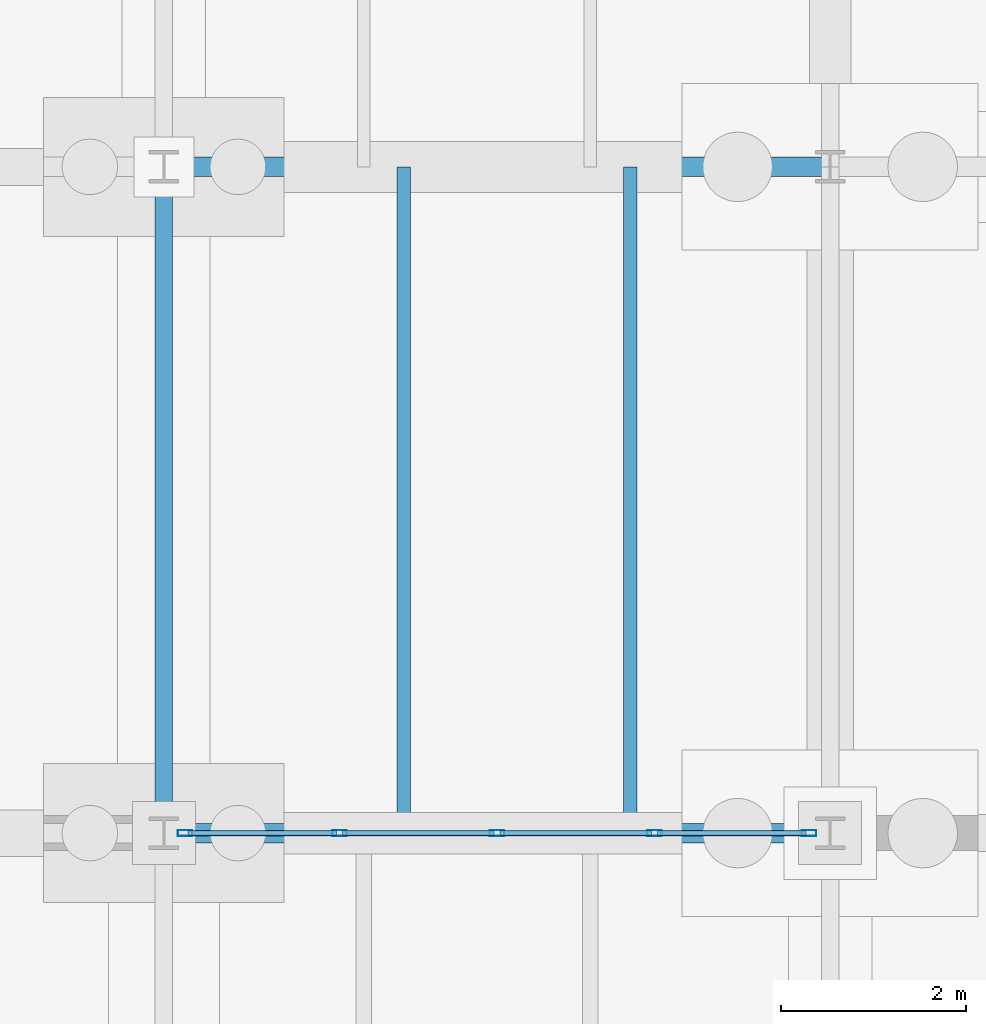
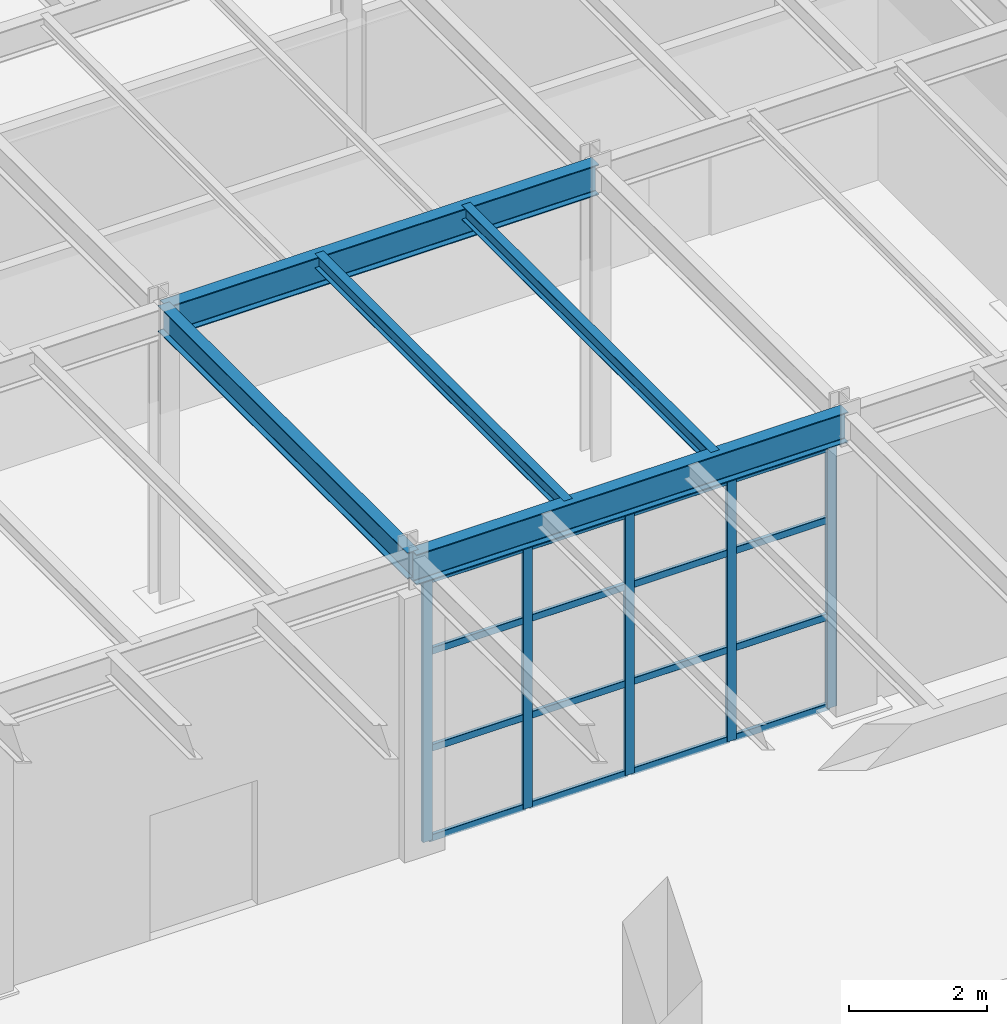
# One storey, part 154 of 293: 21 members, 5 beams, 1 element without a shape of its own.
"""IFC4 building model written with IfcOpenShell, lengths in metres."""

from ifc_helpers import new_model, si_unit, direction, frame, origin, origin_2d, place, context, subcontext, project, spatial, hollow_rectangle, i_section, extrude, material, layer, layer_set, material_profile, profile_set, type_object, element, aggregate, save


model = new_model("IFC4")

# Units and contexts
model_context = context("Model", 3, precision=1e-05, world=origin(), true_north=direction((0.0, 1.0)))
body_context = subcontext(model_context, "Body", "Model", "MODEL_VIEW")
ifc_project = project(units=[si_unit("LENGTHUNIT", "METRE"), si_unit("AREAUNIT", "SQUARE_METRE"), si_unit("VOLUMEUNIT", "CUBIC_METRE"), si_unit("PLANEANGLEUNIT", "RADIAN"), si_unit("MASSUNIT", "GRAM", prefix="KILO")], contexts=[model_context])

# Site, building, storey
site_placement = place(None, origin())
site = spatial("IfcSite", under=ifc_project, at=site_placement, CompositionType="ELEMENT")
building_placement = place(site_placement, origin())
building = spatial("IfcBuilding", under=site, at=building_placement, Name="Kemerveld Promenade Tramway Depot", CompositionType="ELEMENT")
storey_placement = place(building_placement, origin())
storey = spatial("IfcBuildingStorey", under=building, at=storey_placement, Name="L00", CompositionType="ELEMENT", Elevation=0.0)

# Beams
ifc_material_1 = material(Name="Steel S355", Category="steel")
ifc_material_profile_1 = material_profile(ifc_material_1, i_section(OverallWidth=0.2099609375, OverallDepth=0.53662109375, WebThickness=0.0107421875, FlangeThickness=0.017333984375, FilletRadius=0.0126953125, at=origin_2d()), Name="533x210x101 UB")
ifc_profile_set_1 = profile_set([ifc_material_profile_1], Name="Steel S355")
beam_type_1 = type_object("IfcBeamType", Name="BM-G05", PredefinedType="BEAM", material=ifc_profile_set_1)
for number, where, z_axis, x_axis, name in (
    (1, (144.0, 7.199951171875, 4.906494140625), (1.0, 0.0, 0.0), (0.0, 1.0, 0.0), "BMX-L00-21-22-B"),
    (2, (144.0, 14.39990234375, 4.906494140625), (1.0, 0.0, 0.0), (0.0, 1.0, 0.0), "BMX-L00-21-22-C"),
):
    element("IfcBeam", number, at=place(storey_placement, frame(where, z_axis=z_axis, x_axis=x_axis)), inside=storey, type_object=beam_type_1, Name=name, PredefinedType="BEAM", context=body_context, shape_type="SweptSolid", body=[
        extrude(i_section(OverallWidth=0.2099609375, OverallDepth=0.53662109375, WebThickness=0.0107421875, FlangeThickness=0.017333984375, FilletRadius=0.0126953125, at=origin_2d()), origin(), (0.0, 0.0, 1.0), 7.199951171875),
    ])
ifc_material_profile_2 = material_profile(ifc_material_1, i_section(OverallWidth=0.19140625, OverallDepth=0.4599609375, WebThickness=0.010009765625, FlangeThickness=0.01611328125, FilletRadius=0.01025390625, at=origin_2d()), Name="457x191x82 UB")
ifc_profile_set_2 = profile_set([ifc_material_profile_2], Name="Steel S355")
beam_type_2 = type_object("IfcBeamType", Name="BM-G06", PredefinedType="BEAM", material=ifc_profile_set_2)
beam_placement = place(storey_placement, frame((144.0, 7.199951171875, 4.945068359375), z_axis=(0.0, 1.0, 0.0), x_axis=(-1.0, 0.0, 0.0)))
element("IfcBeam", 3, at=beam_placement, inside=storey, type_object=beam_type_2, Name="BMY-L00-21-B-C", PredefinedType="BEAM", context=body_context, shape_type="SweptSolid", body=[
    extrude(i_section(OverallWidth=0.19140625, OverallDepth=0.4599609375, WebThickness=0.010009765625, FlangeThickness=0.01611328125, FilletRadius=0.01025390625, at=origin_2d()), origin(), (0.0, 0.0, 1.0), 7.199951171875),
])
ifc_material_profile_3 = material_profile(ifc_material_1, i_section(OverallWidth=0.146484375, OverallDepth=0.256103515625, WebThickness=0.00634765625, FlangeThickness=0.010986328125, FilletRadius=0.007568359375, at=origin_2d()), Name="254x146x37 UB")
ifc_profile_set_3 = profile_set([ifc_material_profile_3], Name="Steel S355")
beam_type_3 = type_object("IfcBeamType", Name="BM-J02", PredefinedType="JOIST", material=ifc_profile_set_3)
for number, where, z_axis, x_axis, name in (
    (4, (146.592041015625, 7.199951171875, 5.047119140625), (0.0, 1.0, 0.0), (-1.0, 0.0, 0.0), "JST-L00-21-B-1"),
    (5, (149.0400390625, 7.199951171875, 5.047119140625), (0.0, 1.0, 0.0), (-1.0, 0.0, 0.0), "JST-L00-21-B-2"),
):
    element("IfcBeam", number, at=place(storey_placement, frame(where, z_axis=z_axis, x_axis=x_axis)), inside=storey, type_object=beam_type_3, Name=name, PredefinedType="JOIST", context=body_context, shape_type="SweptSolid", body=[
        extrude(i_section(OverallWidth=0.146484375, OverallDepth=0.256103515625, WebThickness=0.00634765625, FlangeThickness=0.010986328125, FilletRadius=0.007568359375, at=origin_2d()), origin(), (0.0, 0.0, 1.0), 7.199951171875),
    ])

# Curtain wall, members
ifc_material_2 = material(Name="Bronze anodised aluminium and solar glass", Category="aluminium")
ifc_layer = layer(ifc_material_2, 0.159912109375)
ifc_layer_set = layer_set([ifc_layer], Name="CW-SYS-05")
curtain_wall_type = type_object("IfcCurtainWallType", Name="CW-SYS-05", PredefinedType="USERDEFINED", material=ifc_layer_set)
curtain_wall_placement = place(storey_placement, origin())
curtain_wall = element("IfcCurtainWall", 6, at=curtain_wall_placement, inside=storey, type_object=curtain_wall_type, Name="CW-L00-V4S-02", ObjectType="GLAZED_CURTAIN_WALL", PredefinedType="USERDEFINED")
ifc_material_3 = material(Name="Bronze anodised aluminium", Category="aluminium")
ifc_material_profile_4 = material_profile(ifc_material_3, hollow_rectangle(XDim=0.06494140625, YDim=0.159912109375, WallThickness=0.00390625, InnerFilletRadius=0.001953125, OuterFilletRadius=0.00390625, at=origin_2d()), Name="CW-MUL-160x65")
ifc_profile_set_4 = profile_set([ifc_material_profile_4], Name="Bronze anodised aluminium")
member_type_1 = type_object("IfcMemberType", Name="CW-MUL-A", PredefinedType="MULLION", material=ifc_profile_set_4)
member_1_placement = place(storey_placement, frame((150.97119140625, 7.199951171875, 0.0), z_axis=(0.0, 0.0, 1.0), x_axis=(0.0, -1.0, 0.0)))
member_1 = element("IfcMember", 7, at=member_1_placement, type_object=member_type_1, Name="CW05 mullion 1", PredefinedType="MULLION", context=body_context, shape_type="SweptSolid", body=[
    extrude(hollow_rectangle(XDim=0.06494140625, YDim=0.159912109375, WallThickness=0.00390625, InnerFilletRadius=0.001953125, OuterFilletRadius=0.00390625, at=origin_2d()), origin(), (0.0, 0.0, 1.0), 4.618408203125),
])
member_2_placement = place(storey_placement, frame((149.3017578125, 7.199951171875, 0.0), z_axis=(0.0, 0.0, 1.0), x_axis=(0.0, -1.0, 0.0)))
member_2 = element("IfcMember", 8, at=member_2_placement, type_object=member_type_1, Name="CW05 mullion 2", PredefinedType="MULLION", context=body_context, shape_type="SweptSolid", body=[
    extrude(hollow_rectangle(XDim=0.06494140625, YDim=0.159912109375, WallThickness=0.00390625, InnerFilletRadius=0.001953125, OuterFilletRadius=0.00390625, at=origin_2d()), origin(), (0.0, 0.0, 1.0), 4.618408203125),
])
member_3_placement = place(storey_placement, frame((147.599853515625, 7.199951171875, 0.0), z_axis=(0.0, 0.0, 1.0), x_axis=(0.0, -1.0, 0.0)))
member_3 = element("IfcMember", 9, at=member_3_placement, type_object=member_type_1, Name="CW05 mullion 3", PredefinedType="MULLION", context=body_context, shape_type="SweptSolid", body=[
    extrude(hollow_rectangle(XDim=0.06494140625, YDim=0.159912109375, WallThickness=0.00390625, InnerFilletRadius=0.001953125, OuterFilletRadius=0.00390625, at=origin_2d()), origin(), (0.0, 0.0, 1.0), 4.618408203125),
])
member_4_placement = place(storey_placement, frame((145.898193359375, 7.199951171875, 0.0), z_axis=(0.0, 0.0, 1.0), x_axis=(0.0, -1.0, 0.0)))
member_4 = element("IfcMember", 10, at=member_4_placement, type_object=member_type_1, Name="CW05 mullion 4", PredefinedType="MULLION", context=body_context, shape_type="SweptSolid", body=[
    extrude(hollow_rectangle(XDim=0.06494140625, YDim=0.159912109375, WallThickness=0.00390625, InnerFilletRadius=0.001953125, OuterFilletRadius=0.00390625, at=origin_2d()), origin(), (0.0, 0.0, 1.0), 4.618408203125),
])
member_5_placement = place(storey_placement, frame((144.228759765625, 7.199951171875, 0.0), z_axis=(0.0, 0.0, 1.0), x_axis=(0.0, -1.0, 0.0)))
member_5 = element("IfcMember", 11, at=member_5_placement, type_object=member_type_1, Name="CW05 mullion 5", PredefinedType="MULLION", context=body_context, shape_type="SweptSolid", body=[
    extrude(hollow_rectangle(XDim=0.06494140625, YDim=0.159912109375, WallThickness=0.00390625, InnerFilletRadius=0.001953125, OuterFilletRadius=0.00390625, at=origin_2d()), origin(), (0.0, 0.0, 1.0), 4.618408203125),
])
ifc_material_profile_5 = material_profile(ifc_material_3, hollow_rectangle(XDim=0.06005859375, YDim=0.1201171875, WallThickness=0.00390625, InnerFilletRadius=0.001953125, OuterFilletRadius=0.00390625, at=origin_2d()), Name="CW-TRN-120x60")
ifc_profile_set_5 = profile_set([ifc_material_profile_5], Name="Bronze anodised aluminium")
member_type_2 = type_object("IfcMemberType", Name="CW-TRN-A", PredefinedType="USERDEFINED", material=ifc_profile_set_5)
member_6_placement = place(storey_placement, frame((150.938720703125, 7.199951171875, 0.030029296875), z_axis=(-1.0, 0.0, 0.0), x_axis=(0.0, -1.0, 0.0)))
member_6 = element("IfcMember", 12, at=member_6_placement, type_object=member_type_2, Name="CW05 transom 1.1", ObjectType="TRANSOM", PredefinedType="USERDEFINED", context=body_context, shape_type="SweptSolid", body=[
    extrude(hollow_rectangle(XDim=0.06005859375, YDim=0.1201171875, WallThickness=0.00390625, InnerFilletRadius=0.001953125, OuterFilletRadius=0.00390625, at=origin_2d()), origin(), (0.0, 0.0, 1.0), 1.6044921875),
])
member_7_placement = place(storey_placement, frame((150.938720703125, 7.199951171875, 1.615966796875), z_axis=(-1.0, 0.0, 0.0), x_axis=(0.0, -1.0, 0.0)))
member_7 = element("IfcMember", 13, at=member_7_placement, type_object=member_type_2, Name="CW05 transom 1.2", ObjectType="TRANSOM", PredefinedType="USERDEFINED", context=body_context, shape_type="SweptSolid", body=[
    extrude(hollow_rectangle(XDim=0.06005859375, YDim=0.1201171875, WallThickness=0.00390625, InnerFilletRadius=0.001953125, OuterFilletRadius=0.00390625, at=origin_2d()), origin(), (0.0, 0.0, 1.0), 1.6044921875),
])
member_8_placement = place(storey_placement, frame((150.938720703125, 7.199951171875, 3.324951171875), z_axis=(-1.0, 0.0, 0.0), x_axis=(0.0, -1.0, 0.0)))
member_8 = element("IfcMember", 14, at=member_8_placement, type_object=member_type_2, Name="CW05 transom 1.3", ObjectType="TRANSOM", PredefinedType="USERDEFINED", context=body_context, shape_type="SweptSolid", body=[
    extrude(hollow_rectangle(XDim=0.06005859375, YDim=0.1201171875, WallThickness=0.00390625, InnerFilletRadius=0.001953125, OuterFilletRadius=0.00390625, at=origin_2d()), origin(), (0.0, 0.0, 1.0), 1.6044921875),
])
member_9_placement = place(storey_placement, frame((150.938720703125, 7.199951171875, 4.58837890625), z_axis=(-1.0, 0.0, 0.0), x_axis=(0.0, -1.0, 0.0)))
member_9 = element("IfcMember", 15, at=member_9_placement, type_object=member_type_2, Name="CW05 transom 1.4", ObjectType="TRANSOM", PredefinedType="USERDEFINED", context=body_context, shape_type="SweptSolid", body=[
    extrude(hollow_rectangle(XDim=0.06005859375, YDim=0.1201171875, WallThickness=0.00390625, InnerFilletRadius=0.001953125, OuterFilletRadius=0.00390625, at=origin_2d()), origin(), (0.0, 0.0, 1.0), 1.6044921875),
])
member_10_placement = place(storey_placement, frame((149.269287109375, 7.199951171875, 0.030029296875), z_axis=(-1.0, 0.0, 0.0), x_axis=(0.0, -1.0, 0.0)))
member_10 = element("IfcMember", 16, at=member_10_placement, type_object=member_type_2, Name="CW05 transom 2.1", ObjectType="TRANSOM", PredefinedType="USERDEFINED", context=body_context, shape_type="SweptSolid", body=[
    extrude(hollow_rectangle(XDim=0.06005859375, YDim=0.1201171875, WallThickness=0.00390625, InnerFilletRadius=0.001953125, OuterFilletRadius=0.00390625, at=origin_2d()), origin(), (0.0, 0.0, 1.0), 1.63671875),
])
member_11_placement = place(storey_placement, frame((149.269287109375, 7.199951171875, 1.615966796875), z_axis=(-1.0, 0.0, 0.0), x_axis=(0.0, -1.0, 0.0)))
member_11 = element("IfcMember", 17, at=member_11_placement, type_object=member_type_2, Name="CW05 transom 2.2", ObjectType="TRANSOM", PredefinedType="USERDEFINED", context=body_context, shape_type="SweptSolid", body=[
    extrude(hollow_rectangle(XDim=0.06005859375, YDim=0.1201171875, WallThickness=0.00390625, InnerFilletRadius=0.001953125, OuterFilletRadius=0.00390625, at=origin_2d()), origin(), (0.0, 0.0, 1.0), 1.63671875),
])
member_12_placement = place(storey_placement, frame((149.269287109375, 7.199951171875, 3.324951171875), z_axis=(-1.0, 0.0, 0.0), x_axis=(0.0, -1.0, 0.0)))
member_12 = element("IfcMember", 18, at=member_12_placement, type_object=member_type_2, Name="CW05 transom 2.3", ObjectType="TRANSOM", PredefinedType="USERDEFINED", context=body_context, shape_type="SweptSolid", body=[
    extrude(hollow_rectangle(XDim=0.06005859375, YDim=0.1201171875, WallThickness=0.00390625, InnerFilletRadius=0.001953125, OuterFilletRadius=0.00390625, at=origin_2d()), origin(), (0.0, 0.0, 1.0), 1.63671875),
])
member_13_placement = place(storey_placement, frame((149.269287109375, 7.199951171875, 4.58837890625), z_axis=(-1.0, 0.0, 0.0), x_axis=(0.0, -1.0, 0.0)))
member_13 = element("IfcMember", 19, at=member_13_placement, type_object=member_type_2, Name="CW05 transom 2.4", ObjectType="TRANSOM", PredefinedType="USERDEFINED", context=body_context, shape_type="SweptSolid", body=[
    extrude(hollow_rectangle(XDim=0.06005859375, YDim=0.1201171875, WallThickness=0.00390625, InnerFilletRadius=0.001953125, OuterFilletRadius=0.00390625, at=origin_2d()), origin(), (0.0, 0.0, 1.0), 1.63671875),
])
member_14_placement = place(storey_placement, frame((147.5673828125, 7.199951171875, 0.030029296875), z_axis=(-1.0, 0.0, 0.0), x_axis=(0.0, -1.0, 0.0)))
member_14 = element("IfcMember", 20, at=member_14_placement, type_object=member_type_2, Name="CW05 transom 3.1", ObjectType="TRANSOM", PredefinedType="USERDEFINED", context=body_context, shape_type="SweptSolid", body=[
    extrude(hollow_rectangle(XDim=0.06005859375, YDim=0.1201171875, WallThickness=0.00390625, InnerFilletRadius=0.001953125, OuterFilletRadius=0.00390625, at=origin_2d()), origin(), (0.0, 0.0, 1.0), 1.63671875),
])
member_15_placement = place(storey_placement, frame((147.5673828125, 7.199951171875, 1.615966796875), z_axis=(-1.0, 0.0, 0.0), x_axis=(0.0, -1.0, 0.0)))
member_15 = element("IfcMember", 21, at=member_15_placement, type_object=member_type_2, Name="CW05 transom 3.2", ObjectType="TRANSOM", PredefinedType="USERDEFINED", context=body_context, shape_type="SweptSolid", body=[
    extrude(hollow_rectangle(XDim=0.06005859375, YDim=0.1201171875, WallThickness=0.00390625, InnerFilletRadius=0.001953125, OuterFilletRadius=0.00390625, at=origin_2d()), origin(), (0.0, 0.0, 1.0), 1.63671875),
])
member_16_placement = place(storey_placement, frame((147.5673828125, 7.199951171875, 3.324951171875), z_axis=(-1.0, 0.0, 0.0), x_axis=(0.0, -1.0, 0.0)))
member_16 = element("IfcMember", 22, at=member_16_placement, type_object=member_type_2, Name="CW05 transom 3.3", ObjectType="TRANSOM", PredefinedType="USERDEFINED", context=body_context, shape_type="SweptSolid", body=[
    extrude(hollow_rectangle(XDim=0.06005859375, YDim=0.1201171875, WallThickness=0.00390625, InnerFilletRadius=0.001953125, OuterFilletRadius=0.00390625, at=origin_2d()), origin(), (0.0, 0.0, 1.0), 1.63671875),
])
member_17_placement = place(storey_placement, frame((147.5673828125, 7.199951171875, 4.58837890625), z_axis=(-1.0, 0.0, 0.0), x_axis=(0.0, -1.0, 0.0)))
member_17 = element("IfcMember", 23, at=member_17_placement, type_object=member_type_2, Name="CW05 transom 3.4", ObjectType="TRANSOM", PredefinedType="USERDEFINED", context=body_context, shape_type="SweptSolid", body=[
    extrude(hollow_rectangle(XDim=0.06005859375, YDim=0.1201171875, WallThickness=0.00390625, InnerFilletRadius=0.001953125, OuterFilletRadius=0.00390625, at=origin_2d()), origin(), (0.0, 0.0, 1.0), 1.63671875),
])
member_18_placement = place(storey_placement, frame((145.865478515625, 7.199951171875, 0.030029296875), z_axis=(-1.0, 0.0, 0.0), x_axis=(0.0, -1.0, 0.0)))
member_18 = element("IfcMember", 24, at=member_18_placement, type_object=member_type_2, Name="CW05 transom 4.1", ObjectType="TRANSOM", PredefinedType="USERDEFINED", context=body_context, shape_type="SweptSolid", body=[
    extrude(hollow_rectangle(XDim=0.06005859375, YDim=0.1201171875, WallThickness=0.00390625, InnerFilletRadius=0.001953125, OuterFilletRadius=0.00390625, at=origin_2d()), origin(), (0.0, 0.0, 1.0), 1.604248046875),
])
member_19_placement = place(storey_placement, frame((145.865478515625, 7.199951171875, 1.615966796875), z_axis=(-1.0, 0.0, 0.0), x_axis=(0.0, -1.0, 0.0)))
member_19 = element("IfcMember", 25, at=member_19_placement, type_object=member_type_2, Name="CW05 transom 4.2", ObjectType="TRANSOM", PredefinedType="USERDEFINED", context=body_context, shape_type="SweptSolid", body=[
    extrude(hollow_rectangle(XDim=0.06005859375, YDim=0.1201171875, WallThickness=0.00390625, InnerFilletRadius=0.001953125, OuterFilletRadius=0.00390625, at=origin_2d()), origin(), (0.0, 0.0, 1.0), 1.604248046875),
])
member_20_placement = place(storey_placement, frame((145.865478515625, 7.199951171875, 3.324951171875), z_axis=(-1.0, 0.0, 0.0), x_axis=(0.0, -1.0, 0.0)))
member_20 = element("IfcMember", 26, at=member_20_placement, type_object=member_type_2, Name="CW05 transom 4.3", ObjectType="TRANSOM", PredefinedType="USERDEFINED", context=body_context, shape_type="SweptSolid", body=[
    extrude(hollow_rectangle(XDim=0.06005859375, YDim=0.1201171875, WallThickness=0.00390625, InnerFilletRadius=0.001953125, OuterFilletRadius=0.00390625, at=origin_2d()), origin(), (0.0, 0.0, 1.0), 1.604248046875),
])
member_21_placement = place(storey_placement, frame((145.865478515625, 7.199951171875, 4.58837890625), z_axis=(-1.0, 0.0, 0.0), x_axis=(0.0, -1.0, 0.0)))
member_21 = element("IfcMember", 27, at=member_21_placement, type_object=member_type_2, Name="CW05 transom 4.4", ObjectType="TRANSOM", PredefinedType="USERDEFINED", context=body_context, shape_type="SweptSolid", body=[
    extrude(hollow_rectangle(XDim=0.06005859375, YDim=0.1201171875, WallThickness=0.00390625, InnerFilletRadius=0.001953125, OuterFilletRadius=0.00390625, at=origin_2d()), origin(), (0.0, 0.0, 1.0), 1.604248046875),
])
aggregate(curtain_wall, [member_1, member_2, member_3, member_4, member_5, member_6, member_7, member_8, member_9, member_10, member_11, member_12, member_13, member_14, member_15, member_16, member_17, member_18, member_19, member_20, member_21])

save(model, "model.ifc")
